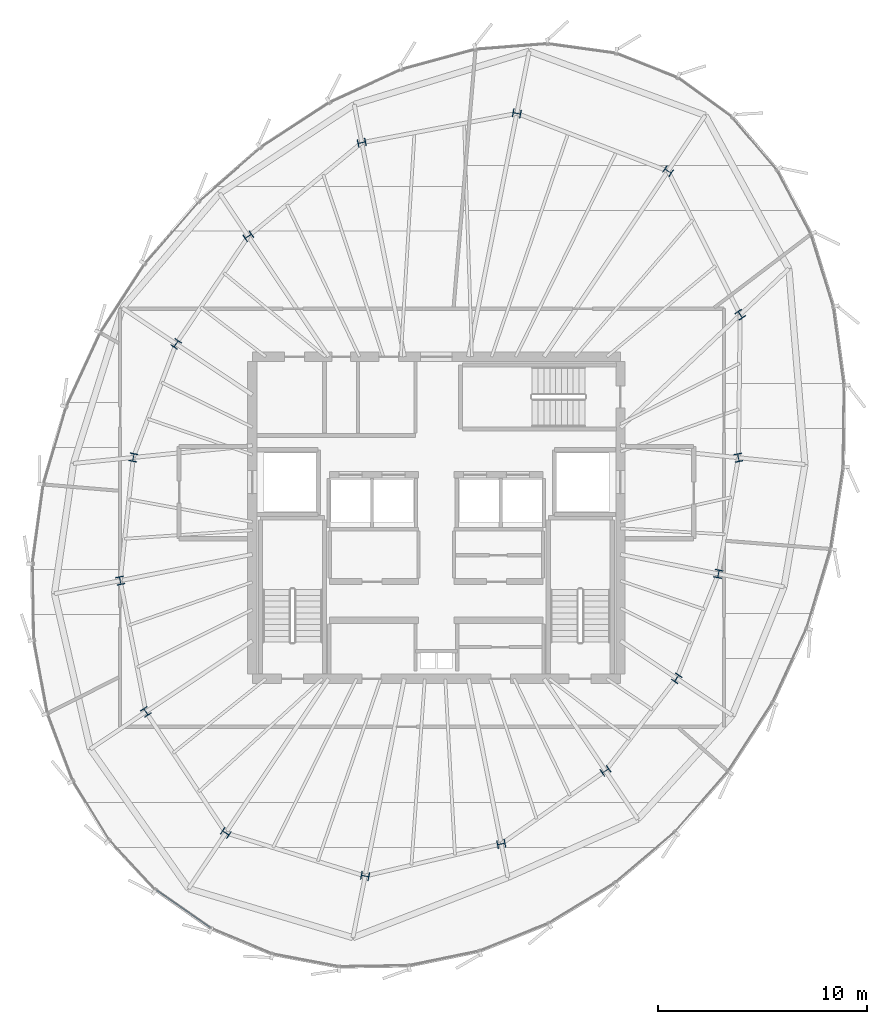
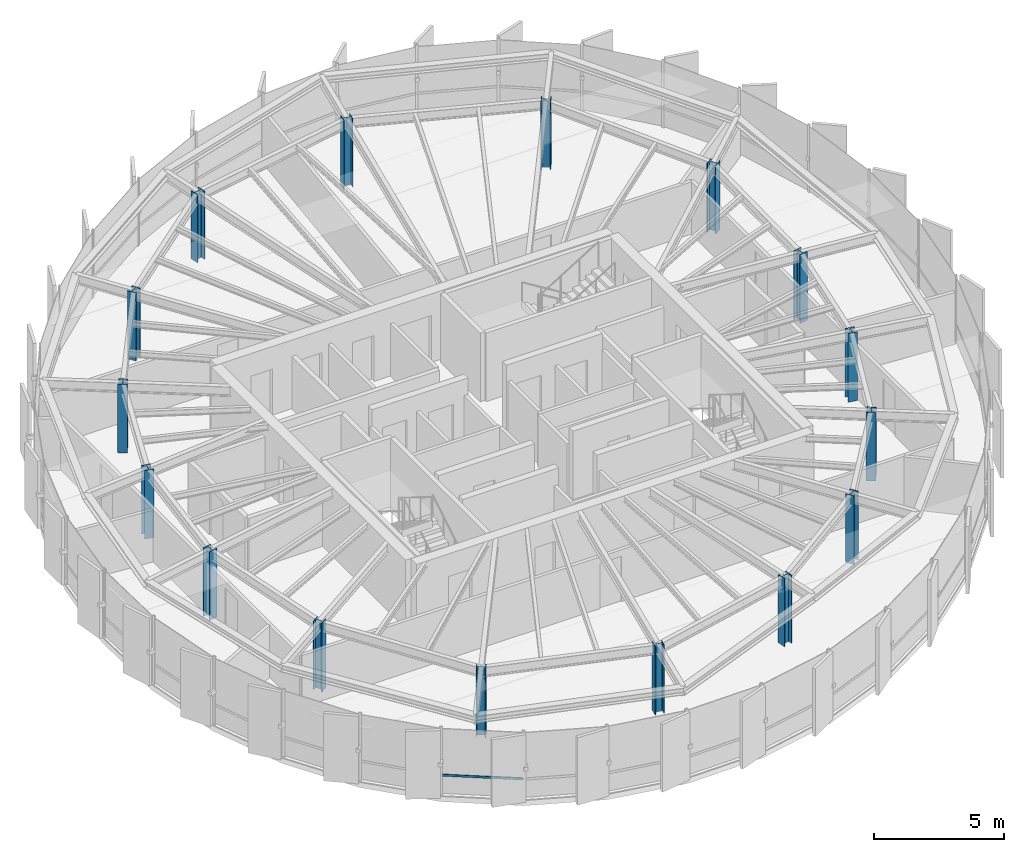
# One storey, part 1 of 32: 16 columns, 1 member, 1 element without a shape of its own.
"""IFC4 building model written with IfcOpenShell, lengths in metres."""

from ifc_helpers import new_model, si_unit, direction, frame, origin, origin_2d, place, context, subcontext, project, spatial, hollow_rectangle, i_section, extrude, source, transform, mapped, material, layer, layer_set, material_profile, profile_set, type_object, element, aggregate, save


model = new_model("IFC4")

# Units and contexts
model_context = context("Model", 3, precision=1e-05, world=origin(), true_north=direction((0.0, 1.0)))
body_context = subcontext(model_context, "Body", "Model", "MODEL_VIEW")
ifc_project = project(units=[si_unit("LENGTHUNIT", "METRE"), si_unit("AREAUNIT", "SQUARE_METRE"), si_unit("VOLUMEUNIT", "CUBIC_METRE"), si_unit("PLANEANGLEUNIT", "RADIAN"), si_unit("MASSUNIT", "GRAM", prefix="KILO"), si_unit("THERMODYNAMICTEMPERATUREUNIT", "KELVIN")], contexts=[model_context])

# Site, building, storey
site_placement = place(None, origin())
site = spatial("IfcSite", under=ifc_project, at=site_placement, CompositionType="ELEMENT")
building_placement = place(site_placement, origin())
building = spatial("IfcBuilding", under=site, at=building_placement, Name="Kethvar Cultural Tower", CompositionType="ELEMENT")
storey_placement = place(building_placement, frame((0.0, 0.0, 280.14990234375)))
storey = spatial("IfcBuildingStorey", under=building, at=storey_placement, Name="L74", CompositionType="ELEMENT", Elevation=280.14990234375)

# Columns
ifc_material_1 = material(Name="Steel S355J2", Category="steel")
ifc_material_profile_1 = material_profile(ifc_material_1, i_section(OverallWidth=0.3740234375, OverallDepth=0.383056640625, WebThickness=0.0166015625, FlangeThickness=0.026123046875, FilletRadius=0.014892578125, at=origin_2d()), Name="Steel S355J2 — HD360x300")
ifc_profile_set_1 = profile_set([ifc_material_profile_1], Name="Steel S355J2 — HD360x300")
column_type = type_object("IfcColumnType", Name="COL-HD300", PredefinedType="COLUMN", material=ifc_profile_set_1)
shared_shape_1 = source(origin(), body_context, "Body", "SweptSolid", [
    extrude(i_section(OverallWidth=0.3740234375, OverallDepth=0.383056640625, WebThickness=0.0166015625, FlangeThickness=0.026123046875, FilletRadius=0.014892578125, at=origin_2d()), origin(), (0.0, 0.0, 1.0), 3.210205078125),
])
for number, where, z_axis, x_axis, name in (
    (1, (61.237060546875, 30.671630859375, 0.0), (0.0, 0.0, 1.0), (0.980785280403, 0.195090322016, 0.0), "L74 Mega-Column MC-01"),
    (2, (61.32568359375, 37.505859375, 0.0), (0.0, 0.0, 1.0), (0.831469612303, 0.55557023302, 0.0), "L74 Mega-Column MC-02"),
    (3, (57.875244140625, 44.375, 0.0), (0.0, 0.0, 1.0), (0.55557023302, 0.831469612303, 0.0), "L74 Mega-Column MC-03"),
    (4, (50.645263671875, 47.131591796875, 0.0), (0.0, 0.0, 1.0), (0.195090322016, 0.980785280403, 0.0), "L74 Mega-Column MC-04"),
    (5, (43.23291015625, 45.732421875, 0.0), (0.0, 0.0, 1.0), (-0.195090322016, 0.980785280403, 0.0), "L74 Mega-Column MC-05"),
    (6, (37.8095703125, 41.255126953125, 0.0), (0.0, 0.0, 1.0), (-0.55557023302, 0.831469612303, 0.0), "L74 Mega-Column MC-06"),
    (7, (34.35595703125, 36.114990234375, 0.0), (0.0, 0.0, 1.0), (-0.831469612303, 0.55557023302, 0.0), "L74 Mega-Column MC-07"),
    (8, (32.3125, 30.681884765625, 0.0), (0.0, 0.0, 1.0), (-0.980785280403, 0.195090322016, 0.0), "L74 Mega-Column MC-08"),
    (9, (31.68310546875, 24.79296875, 0.0), (0.0, 0.0, 1.0), (-0.980785280403, -0.195090322016, 0.0), "L74 Mega-Column MC-09"),
    (10, (32.912841796875, 18.52099609375, 0.0), (0.0, 0.0, 1.0), (-0.831469612303, -0.55557023302, 0.0), "L74 Mega-Column MC-10"),
    (11, (36.731201171875, 12.73095703125, 0.0), (0.0, 0.0, 1.0), (-0.55557023302, -0.831469612303, 0.0), "L74 Mega-Column MC-11"),
    (12, (43.392822265625, 10.67138671875, 0.0), (0.0, 0.0, 1.0), (-0.195090322016, -0.980785280403, 0.0), "L74 Mega-Column MC-12"),
    (13, (49.901611328125, 12.206787109375, 0.0), (0.0, 0.0, 1.0), (0.195090322016, -0.980785280403, 0.0), "L74 Mega-Column MC-13"),
    (14, (54.885009765625, 15.7001953125, 0.0), (0.0, 0.0, 1.0), (0.55557023302, -0.831469612303, 0.0), "L74 Mega-Column MC-14"),
    (15, (58.287109375, 20.12451171875, 0.0), (0.0, 0.0, 1.0), (0.831469612303, -0.55557023302, 0.0), "L74 Mega-Column MC-15"),
    (16, (60.28369140625, 25.117919921875, 0.0), (0.0, 0.0, 1.0), (0.980785280403, -0.195090322016, 0.0), "L74 Mega-Column MC-16"),
):
    element("IfcColumn", number, at=place(storey_placement, frame(where, z_axis=z_axis, x_axis=x_axis)), inside=storey, type_object=column_type, Name=name, PredefinedType="COLUMN", context=body_context, shape_type="MappedRepresentation", body=[
        mapped(shared_shape_1, transform((0.0, 0.0, 0.0), scale=1.0)),
    ])

# Curtain wall, member
ifc_material_2 = material(Name="Aluminium 6063-T6", Category="aluminium")
ifc_layer = layer(ifc_material_2, 0.179931640625, Name="Aluminium 6063-T6", Category="aluminium")
ifc_layer_set = layer_set([ifc_layer], Name="Aluminium 6063-T6 (180 mm)")
curtain_wall_type = type_object("IfcCurtainWallType", Name="CW-SYS-05-Z56", PredefinedType="NOTDEFINED", material=ifc_layer_set)
curtain_wall_placement = place(storey_placement, origin())
curtain_wall = element("IfcCurtainWall", 17, at=curtain_wall_placement, inside=storey, type_object=curtain_wall_type, Name="L74 Curtain Wall Run 03", PredefinedType="NOTDEFINED")
ifc_material_profile_2 = material_profile(ifc_material_2, hollow_rectangle(XDim=0.050048828125, YDim=0.10009765625, WallThickness=0.00390625, at=origin_2d()), Name="Aluminium 6063-T6 — RHS100x50x4")
ifc_profile_set_2 = profile_set([ifc_material_profile_2], Name="Aluminium 6063-T6 — RHS100x50x4")
member_type = type_object("IfcMemberType", Name="CW-SYS-05-Z56-TRN", PredefinedType="USERDEFINED", material=ifc_profile_set_2)
shared_shape_2 = source(origin(), body_context, "Body", "SweptSolid", [
    extrude(hollow_rectangle(XDim=0.050048828125, YDim=0.10009765625, WallThickness=0.00390625, at=origin_2d()), origin(), (0.0, 0.0, 1.0), 3.13916015625),
])
member_placement = place(storey_placement, frame((33.418701171875, 9.998779296875, 0.9501953125), z_axis=(0.820249999554, -0.572005190739, 0.0), x_axis=(0.572005190739, 0.820249999554, 0.0)))
member = element("IfcMember", 18, at=member_placement, type_object=member_type, Name="CW-L74-R03 Transom 6", ObjectType="TRANSOM", PredefinedType="USERDEFINED", context=body_context, shape_type="MappedRepresentation", body=[
    mapped(shared_shape_2, transform((0.0, 0.0, 0.0), scale=1.0)),
])
aggregate(curtain_wall, [member])

save(model, "model.ifc")
